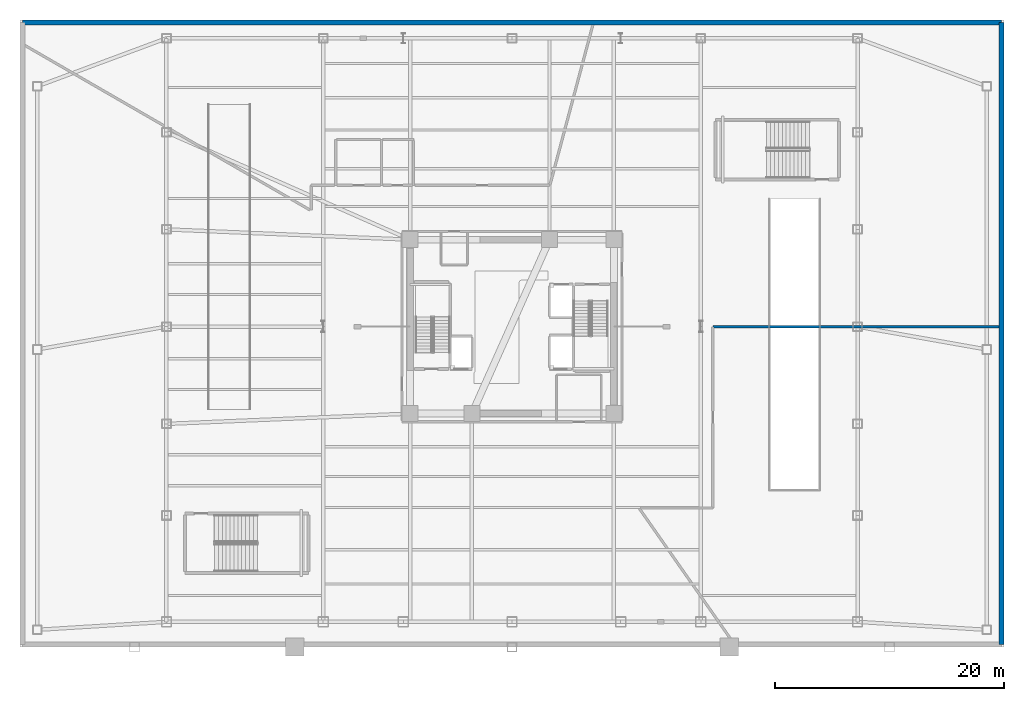
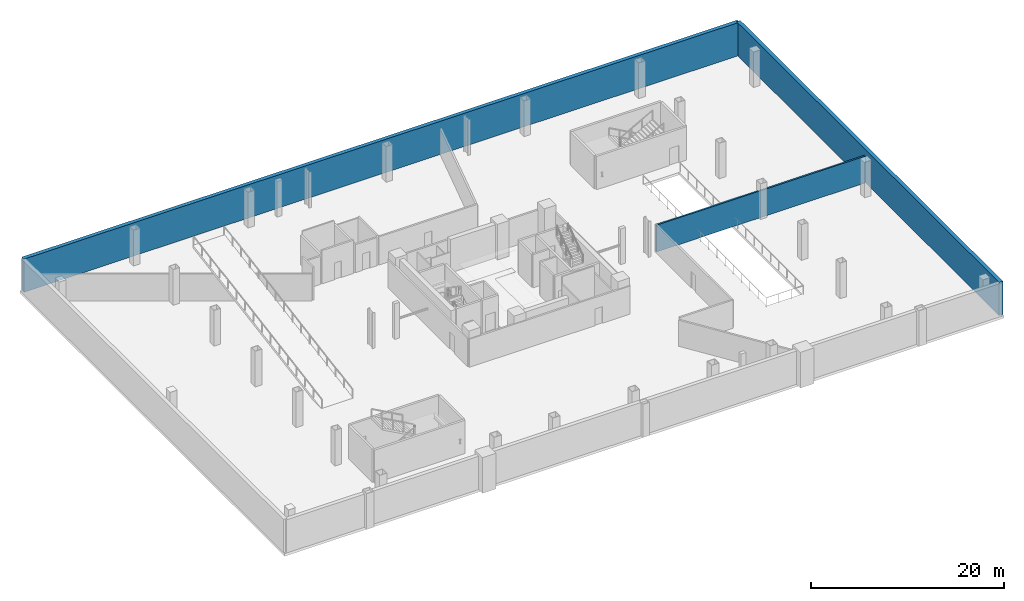
# One storey, part 9 of 14: 3 walls.
"""IFC4 building model written with IfcOpenShell, lengths in metres."""

from ifc_helpers import new_model, si_unit, direction, frame, frame_2d, origin, place, context, subcontext, project, spatial, rectangle, extrude, material, layer, layer_set, type_object, element, save


model = new_model("IFC4")

# Units and contexts
model_context = context("Model", 3, precision=1e-05, world=origin(), true_north=direction((0.0, 1.0)))
body_context = subcontext(model_context, "Body", "Model", "MODEL_VIEW")
ifc_project = project(units=[si_unit("LENGTHUNIT", "METRE"), si_unit("AREAUNIT", "SQUARE_METRE"), si_unit("VOLUMEUNIT", "CUBIC_METRE"), si_unit("PLANEANGLEUNIT", "RADIAN"), si_unit("MASSUNIT", "GRAM", prefix="KILO")], contexts=[model_context])

# Site, building, storey
site_placement = place(None, origin())
site = spatial("IfcSite", under=ifc_project, at=site_placement, CompositionType="ELEMENT")
building_placement = place(site_placement, origin())
building = spatial("IfcBuilding", under=site, at=building_placement, Name="Tharavind Bronze Gate", CompositionType="ELEMENT")
storey_placement = place(building_placement, frame((0.0, 0.0, -4.5)))
storey = spatial("IfcBuildingStorey", under=building, at=storey_placement, Name="B01", CompositionType="ELEMENT", Elevation=-4.5)

# Walls
ifc_material_1 = material(Name="Concrete C50/60", Category="concrete")
ifc_layer_1 = layer(ifc_material_1, 0.449951171875)
ifc_layer_set_1 = layer_set([ifc_layer_1], Name="Concrete C50/60")
wall_type_1 = type_object("IfcWallType", Name="BASEMENT RETAINING WALL 450", PredefinedType="STANDARD", material=ifc_layer_set_1)
wall_1_placement = place(storey_placement, frame((42.77490234375, -27.77490234375, 0.0), z_axis=(0.0, 0.0, 1.0), x_axis=(0.0, 1.0, 0.0)))
element("IfcWall", 1, at=wall_1_placement, inside=storey, type_object=wall_type_1, Name="B01 perimeter retaining wall 2", PredefinedType="STANDARD", context=body_context, shape_type="SweptSolid", body=[
    extrude(rectangle(XDim=54.349853515625, YDim=0.449951171875, at=frame_2d((27.1748046875, 0.0))), origin(), (0.0, 0.0, 1.0), 4.199951171875),
])
wall_2_placement = place(storey_placement, frame((42.77490234375, 26.574951171875, 0.0), z_axis=(0.0, 0.0, 1.0), x_axis=(-1.0, 0.0, 0.0)))
element("IfcWall", 2, at=wall_2_placement, inside=storey, type_object=wall_type_1, Name="B01 perimeter retaining wall 3", PredefinedType="STANDARD", context=body_context, shape_type="SweptSolid", body=[
    extrude(rectangle(XDim=85.5498046875, YDim=0.449951171875, at=frame_2d((42.77490234375, 0.0))), origin(), (0.0, 0.0, 1.0), 4.199951171875),
])
ifc_material_2 = material(Name="Aerated Concrete Block", Category="concrete")
ifc_layer_2 = layer(ifc_material_2, 0.199951171875)
ifc_layer_set_2 = layer_set([ifc_layer_2], Name="Aerated Concrete Block")
wall_type_2 = type_object("IfcWallType", Name="FIRE RATED PARTITION 200", PredefinedType="PARTITIONING", material=ifc_layer_set_2)
wall_3_placement = place(storey_placement, frame((17.574951171875, 0.0, 0.0), z_axis=(0.0, 0.0, 1.0), x_axis=(1.0, 0.0, 0.0)))
element("IfcWall", 3, at=wall_3_placement, inside=storey, type_object=wall_type_2, Name="B01 Refuse & Recycling Storage partition", PredefinedType="PARTITIONING", context=body_context, shape_type="SweptSolid", body=[
    extrude(rectangle(XDim=24.969970703125, YDim=0.199951171875, at=frame_2d((12.48486328125, 0.0))), origin(), (0.0, 0.0, 1.0), 3.39501953125),
])

save(model, "model.ifc")
